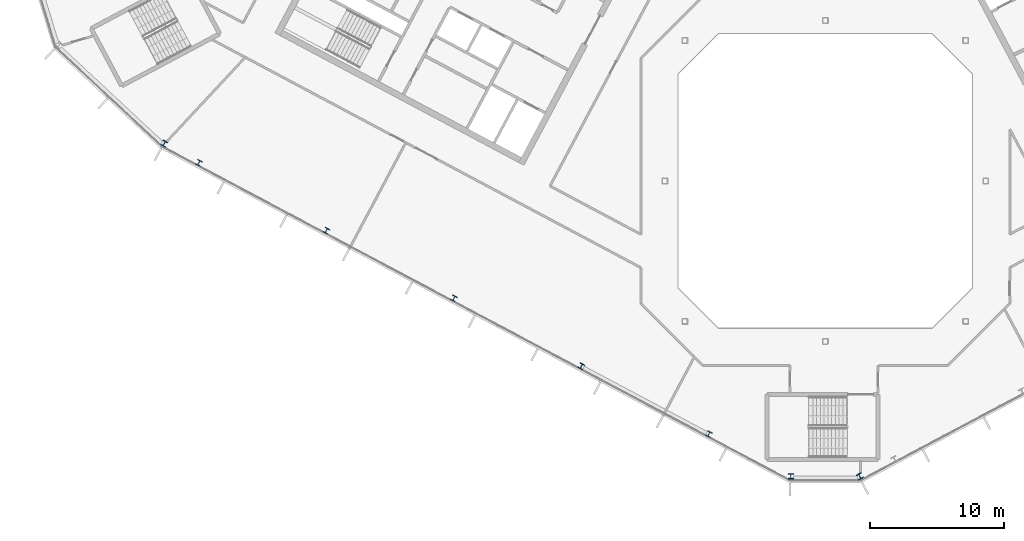
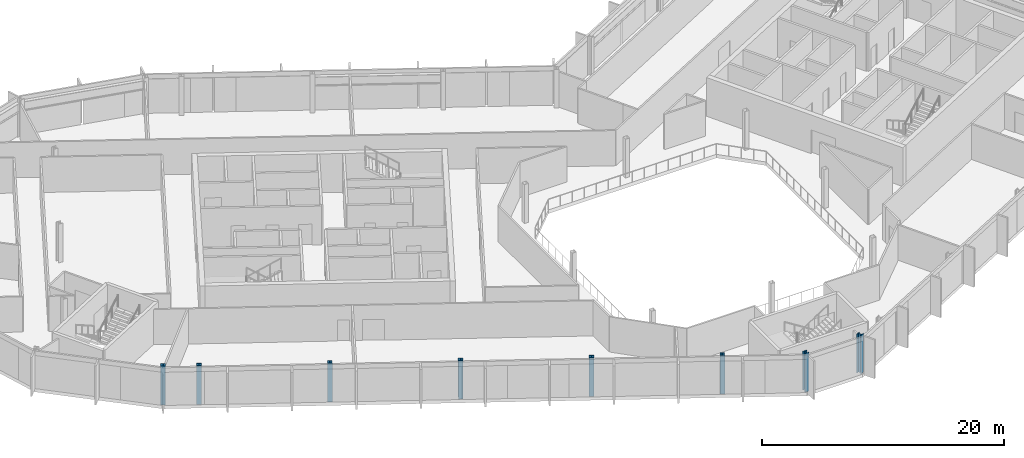
# One storey, part 1 of 25: 8 columns.
"""IFC4 building model written with IfcOpenShell, lengths in metres."""

import ifcopenshell
import ifcopenshell.guid

model = None  # the IFC model being written
_history = None  # IfcOwnerHistory: only IFC2X3 demands one
_inside = {}  # id of a spatial element -> (the spatial element, [elements in it])
_under = {}  # id of a project, library or spatial element -> (it, [spatial elements below it])
_declared = {}  # id of a project -> (the project, [libraries it declares])
_typed = {}  # id of a type object -> (the type object, [elements of that type])
_made_of = {}  # id of a material, layer set ... -> (it, [elements and type objects made of it])


def new_model(schema):
    """Start an empty IFC model of exactly this schema.

    Asked for "IFC4X3", IfcOpenShell would pick the latest addendum, in which some entities
    have other attributes; the version numbers below select the first issue.
    IFC2X3 requires an IfcOwnerHistory on every rooted entity: one is made here for all.
    """
    global model, _history
    if schema == "IFC4X3":
        model = ifcopenshell.file(schema_version=(4, 3, 0, 0))
    else:
        model = ifcopenshell.file(schema=schema)
    _inside.clear()
    _under.clear()
    _declared.clear()
    _typed.clear()
    _made_of.clear()
    _history = None
    if model.schema == "IFC2X3":
        org = make("IfcOrganization", Name="unknown")
        user = make(
            "IfcPersonAndOrganization",
            ThePerson=make("IfcPerson", FamilyName="unknown"),
            TheOrganization=org,
        )
        app = make(
            "IfcApplication",
            ApplicationDeveloper=org,
            Version="unknown",
            ApplicationFullName="unknown",
            ApplicationIdentifier="unknown",
        )
        _history = make(
            "IfcOwnerHistory",
            OwningUser=user,
            OwningApplication=app,
            ChangeAction="ADDED",
            CreationDate=0,
        )
    return model


def make(cls, **values):
    """One entity of the class cls with the attributes given. An attribute that is None is left unset."""
    return model.create_entity(
        cls, **{name: value for name, value in values.items() if value is not None}
    )


def rooted(cls, **values):
    """An entity with a GlobalId (a new one), such as an element, a storey or a relation."""
    return make(cls, GlobalId=ifcopenshell.guid.new(), OwnerHistory=_history, **values)


def si_unit(unit_type, name, prefix=None):
    """IfcSIUnit, for example si_unit("LENGTHUNIT", "METRE", prefix="MILLI")."""
    return make("IfcSIUnit", UnitType=unit_type, Prefix=prefix, Name=name)


def assignment(units):
    """IfcUnitAssignment: the units of a project."""
    return None if units is None else make("IfcUnitAssignment", Units=units)


def point(xyz):
    """IfcCartesianPoint."""
    return None if xyz is None else make("IfcCartesianPoint", Coordinates=xyz)


def direction(xyz):
    """IfcDirection."""
    return None if xyz is None else make("IfcDirection", DirectionRatios=xyz)


def frame(location, z_axis=None, x_axis=None):
    """IfcAxis2Placement3D, a coordinate frame: its origin and axes. An axis left out is left unset."""
    return make(
        "IfcAxis2Placement3D",
        Location=point(location),
        Axis=direction(z_axis),
        RefDirection=direction(x_axis),
    )


def frame_2d(location, x_axis=None):
    """IfcAxis2Placement2D, a coordinate frame in the plane: its origin and x axis."""
    return make(
        "IfcAxis2Placement2D", Location=point(location), RefDirection=direction(x_axis)
    )


def origin():
    """The frame at (0, 0, 0) with its axes left unset."""
    return frame((0.0, 0.0, 0.0))


def origin_2d():
    """The frame at (0, 0) in the plane with its x axis left unset."""
    return frame_2d((0.0, 0.0))


def place(relative_to, where):
    """IfcLocalPlacement: puts the frame where relative to a parent placement (None: the world)."""
    return make(
        "IfcLocalPlacement", PlacementRelTo=relative_to, RelativePlacement=where
    )


def context(
    kind, dimensions, precision=None, world=None, true_north=None, identifier=None
):
    """IfcGeometricRepresentationContext, for example the 3D "Model" context."""
    return make(
        "IfcGeometricRepresentationContext",
        ContextIdentifier=identifier,
        ContextType=kind,
        CoordinateSpaceDimension=dimensions,
        Precision=precision,
        WorldCoordinateSystem=world,
        TrueNorth=true_north,
    )


def subcontext(parent, identifier, kind, view, scale=None):
    """IfcGeometricRepresentationSubContext, for example "Body" below "Model"."""
    return make(
        "IfcGeometricRepresentationSubContext",
        ContextIdentifier=identifier,
        ContextType=kind,
        ParentContext=parent,
        TargetScale=scale,
        TargetView=view,
    )


def project(units=None, contexts=None):
    """IfcProject with its units and contexts."""
    return rooted(
        "IfcProject",
        Name="project",
        RepresentationContexts=contexts,
        UnitsInContext=assignment(units),
    )


def spatial(cls, under=None, at=None, **own):
    """A site, building, storey or space (cls), placed at a placement, below another one or the project."""
    s = rooted(cls, ObjectPlacement=at, **own)
    if under is not None:
        _under.setdefault(under.id(), (under, []))[1].append(s)
    return s


def profile(cls, at=None, kind="AREA", **sizes):
    """A parametric profile (cls). Its sizes go by their IFC names, for example OverallWidth=200.0."""
    return make(cls, ProfileType=kind, Position=at, **sizes)


def i_section(**sizes):
    """IfcIShapeProfileDef."""
    return profile("IfcIShapeProfileDef", **sizes)


def extrude(swept, where, along, depth):
    """IfcExtrudedAreaSolid: the profile swept, set in the frame where, extruded along a direction by depth."""
    return make(
        "IfcExtrudedAreaSolid",
        SweptArea=swept,
        Position=where,
        ExtrudedDirection=direction(along),
        Depth=depth,
    )


def shape(context_of_items, identifier, shape_type, items):
    """IfcShapeRepresentation: the items that make up one representation, for example the "Body"."""
    return make(
        "IfcShapeRepresentation",
        ContextOfItems=context_of_items,
        RepresentationIdentifier=identifier,
        RepresentationType=shape_type,
        Items=items,
    )


def material(Name=None, Category=None):
    """IfcMaterial."""
    return make("IfcMaterial", Name=Name, Category=Category)


def material_profile(
    of_material, cross_section, Name=None, Category=None, Priority=None
):
    """IfcMaterialProfile: a cross section and its material."""
    return make(
        "IfcMaterialProfile",
        Name=Name,
        Material=of_material,
        Profile=cross_section,
        Priority=Priority,
        Category=Category,
    )


def profile_set(profiles, Name=None, composite=None):
    """IfcMaterialProfileSet."""
    return make(
        "IfcMaterialProfileSet",
        Name=Name,
        MaterialProfiles=profiles,
        CompositeProfile=composite,
    )


def made_of(thing, what):
    """Note that an element or type object is made of a material, layer set ...; save() writes the relation."""
    if what is not None:
        _made_of.setdefault(what.id(), (what, []))[1].append(thing)
    return thing


def type_object(cls, material=None, **own):
    """A type object (cls), such as IfcWallType, which elements share."""
    return made_of(rooted(cls, **own), material)


def element(
    cls,
    number,
    at=None,
    inside=None,
    cuts=None,
    type_object=None,
    material=None,
    context=None,
    identifier="Body",
    shape_type=None,
    held_by="IfcProductDefinitionShape",
    body=None,
    shapes=None,
    **own,
):
    """One element of the class cls, such as IfcWall. Its Tag is "e" and its number.

    at: its placement. inside: the storey or other place that contains it. cuts: it is an
    opening in that element (IfcRelVoidsElement). A single representation is given by context,
    identifier, shape_type and body (its items); several are given by shapes. held_by: the class
    of the entity that holds the representations. save() writes the other relations.
    """
    e = rooted(cls, Tag="e%d" % number, ObjectPlacement=at, **own)
    if body is not None:
        shapes = [shape(context, identifier, shape_type, body)]
    if shapes is not None:
        e.Representation = make(held_by, Representations=shapes)
    if inside is not None:
        _inside.setdefault(inside.id(), (inside, []))[1].append(e)
    if cuts is not None:
        rooted(
            "IfcRelVoidsElement", RelatingBuildingElement=cuts, RelatedOpeningElement=e
        )
    if type_object is not None:
        _typed.setdefault(type_object.id(), (type_object, []))[1].append(e)
    return made_of(e, material)


def aggregate(whole, parts):
    """IfcRelAggregates: a whole, such as a stair, and the parts it consists of."""
    return rooted("IfcRelAggregates", RelatingObject=whole, RelatedObjects=parts)


def save(model, path):
    """Write the relations noted so far, then the file.

    IfcRelAggregates (storeys below a building ...), IfcRelContainedInSpatialStructure (elements
    in a storey), IfcRelDefinesByType, IfcRelAssociatesMaterial and IfcRelDeclares: one each for
    every whole, place, type object, material and project.
    """
    for whole, parts in _under.values():
        aggregate(whole, parts)
    for where, things in _inside.values():
        rooted(
            "IfcRelContainedInSpatialStructure",
            RelatedElements=things,
            RelatingStructure=where,
        )
    for kind, things in _typed.values():
        rooted("IfcRelDefinesByType", RelatedObjects=things, RelatingType=kind)
    for what, things in _made_of.values():
        rooted("IfcRelAssociatesMaterial", RelatedObjects=things, RelatingMaterial=what)
    for by, libraries in _declared.values():
        rooted("IfcRelDeclares", RelatingContext=by, RelatedDefinitions=libraries)
    model.write(path)


model = new_model("IFC4")

# Units and contexts
model_context = context("Model", 3, precision=1e-05, world=origin(), true_north=direction((0.0, 1.0)))
body_context = subcontext(model_context, "Body", "Model", "MODEL_VIEW")
ifc_project = project(units=[si_unit("LENGTHUNIT", "METRE"), si_unit("AREAUNIT", "SQUARE_METRE"), si_unit("VOLUMEUNIT", "CUBIC_METRE"), si_unit("PLANEANGLEUNIT", "RADIAN"), si_unit("MASSUNIT", "GRAM", prefix="KILO")], contexts=[model_context])

# Site, building, storey
site_placement = place(None, origin())
site = spatial("IfcSite", under=ifc_project, at=site_placement, CompositionType="ELEMENT")
building_placement = place(site_placement, origin())
building = spatial("IfcBuilding", under=site, at=building_placement, Name="Cormorant Relay Tower", CompositionType="ELEMENT")
storey_placement = place(building_placement, frame((0.0, 0.0, 281.39990234375)))
storey = spatial("IfcBuildingStorey", under=building, at=storey_placement, Name="L63", CompositionType="ELEMENT", Elevation=281.39990234375)

# Columns
ifc_material_1 = material(Name="Steel ASTM A992 (Fy 345 MPa)", Category="steel")
ifc_material_profile_1 = material_profile(ifc_material_1, i_section(OverallWidth=0.398681640625, OverallDepth=0.385986328125, WebThickness=0.02099609375, FlangeThickness=0.033203125, FilletRadius=0.01513671875, at=origin_2d()), Name="W360x262")
ifc_profile_set_1 = profile_set([ifc_material_profile_1], Name="Steel ASTM A992 (Fy 345 MPa)")
column_type_1 = type_object("IfcColumnType", Name="Column W360x262", PredefinedType="COLUMN", material=ifc_profile_set_1)
for number, where, z_axis, x_axis, name in (
    (1, (-8.705078125, -18.928955078125, 0.0), (0.0, 0.0, 1.0), (0.882947592859, -0.469471562786, 0.0), "Column L63-004"),
    (2, (-18.240966796875, -13.85791015625, 0.0), (0.0, 0.0, 1.0), (0.882947592859, -0.469471562786, 0.0), "Column L63-006"),
    (3, (-27.777099609375, -8.7880859375, 0.0), (0.0, 0.0, 1.0), (0.882947592859, -0.469471562786, 0.0), "Column L63-011"),
    (4, (-37.31298828125, -3.718017578125, 0.0), (0.0, 0.0, 1.0), (0.882947592859, -0.469471562786, 0.0), "Column L63-013"),
    (5, (-46.84912109375, 1.35205078125, 0.0), (0.0, 0.0, 1.0), (0.882947592859, -0.469471562786, 0.0), "Column L63-017"),
):
    element("IfcColumn", number, at=place(storey_placement, frame(where, z_axis=z_axis, x_axis=x_axis)), inside=storey, type_object=column_type_1, Name=name, PredefinedType="COLUMN", context=body_context, shape_type="SweptSolid", body=[
        extrude(i_section(OverallWidth=0.398681640625, OverallDepth=0.385986328125, WebThickness=0.02099609375, FlangeThickness=0.033203125, FilletRadius=0.01513671875, at=origin_2d()), origin(), (0.0, 0.0, 1.0), 3.900146484375),
    ])
ifc_material_2 = material(Name="Steel ASTM A992 (Fy 345 MPa)", Category="steel")
ifc_material_profile_2 = material_profile(ifc_material_2, i_section(OverallWidth=0.40380859375, OverallDepth=0.406494140625, WebThickness=0.027099609375, FlangeThickness=0.043701171875, FilletRadius=0.01513671875, at=origin_2d()), Name="W360x347")
ifc_profile_set_2 = profile_set([ifc_material_profile_2], Name="Steel ASTM A992 (Fy 345 MPa)")
column_type_2 = type_object("IfcColumnType", Name="Column W360x347", PredefinedType="COLUMN", material=ifc_profile_set_2)
for number, where, z_axis, x_axis, name in (
    (6, (-2.5791015625, -22.093994140625, 0.0), (0.0, 0.0, 1.0), (1.0, 0.0, 0.0), "Column L63-001"),
    (7, (2.5791015625, -22.093994140625, 0.0), (0.0, 0.0, 1.0), (0.882947592859, 0.469471562786, 0.0), "Column L63-002"),
    (8, (-49.44091796875, 2.7958984375, 0.0), (0.0, 0.0, 1.0), (0.882947592859, -0.469471562786, 0.0), "Column L63-018"),
):
    element("IfcColumn", number, at=place(storey_placement, frame(where, z_axis=z_axis, x_axis=x_axis)), inside=storey, type_object=column_type_2, Name=name, PredefinedType="COLUMN", context=body_context, shape_type="SweptSolid", body=[
        extrude(i_section(OverallWidth=0.40380859375, OverallDepth=0.406494140625, WebThickness=0.027099609375, FlangeThickness=0.043701171875, FilletRadius=0.01513671875, at=origin_2d()), origin(), (0.0, 0.0, 1.0), 3.900146484375),
    ])

save(model, "model.ifc")
